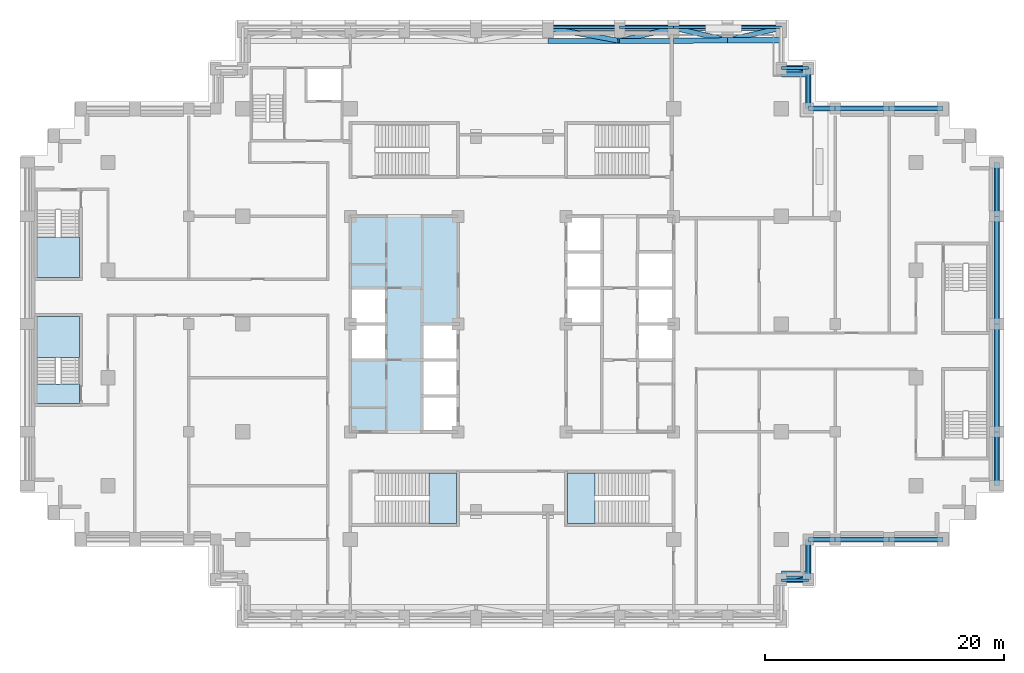
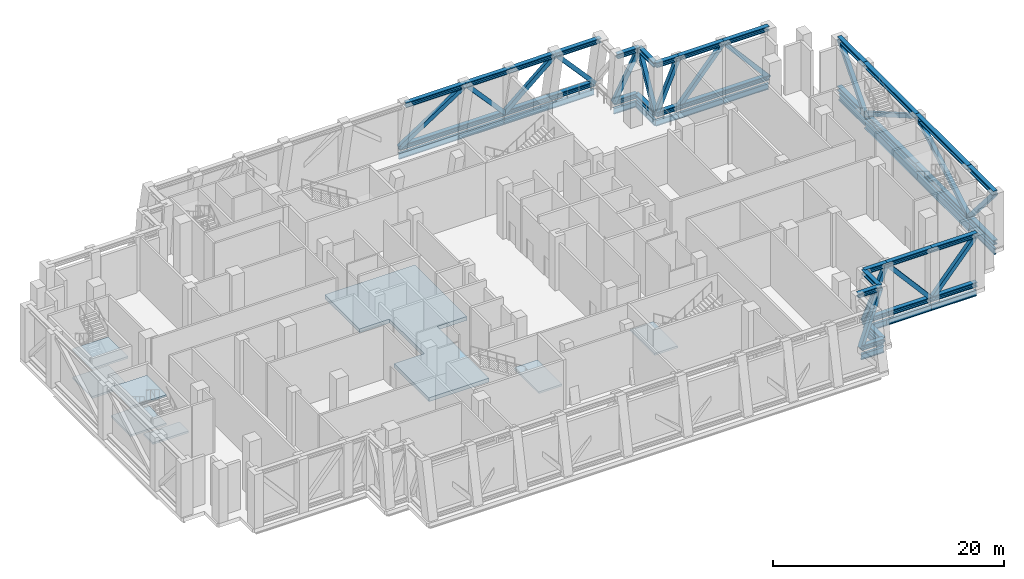
# One storey, part 3 of 14: 54 members, 18 beams, 8 slabs, 4 elements without a shape of their own.
"""IFC4 building model written with IfcOpenShell, lengths in metres."""

from ifc_helpers import new_model, si_unit, direction, frame, origin, origin_2d, place, context, subcontext, project, spatial, polyline, hollow_rectangle, i_section, outline, extrude, material, layer, layer_set, material_profile, profile_set, type_object, element, aggregate, save


model = new_model("IFC4")

# Units and contexts
model_context = context("Model", 3, precision=1e-05, world=origin(), true_north=direction((0.0, 1.0)))
body_context = subcontext(model_context, "Body", "Model", "MODEL_VIEW")
ifc_project = project(units=[si_unit("LENGTHUNIT", "METRE"), si_unit("AREAUNIT", "SQUARE_METRE"), si_unit("VOLUMEUNIT", "CUBIC_METRE"), si_unit("PLANEANGLEUNIT", "RADIAN"), si_unit("MASSUNIT", "GRAM", prefix="KILO")], contexts=[model_context])

# Site, building, storey
site_placement = place(None, origin())
site = spatial("IfcSite", under=ifc_project, at=site_placement, CompositionType="ELEMENT")
building_placement = place(site_placement, origin())
building = spatial("IfcBuilding", under=site, at=building_placement, Name="Corbelhall Arena Tower", CompositionType="ELEMENT")
storey_placement = place(building_placement, frame((0.0, 0.0, 120.0)))
storey = spatial("IfcBuildingStorey", under=building, at=storey_placement, Name="L22", CompositionType="ELEMENT", Elevation=120.0)

# Members
ifc_material_1 = material(Name="Steel ASTM A913 Gr65", Category="steel")
ifc_material_profile_1 = material_profile(ifc_material_1, i_section(OverallWidth=0.431884765625, OverallDepth=0.497802734375, WebThickness=0.0556640625, FlangeThickness=0.0888671875, at=origin_2d()))
ifc_profile_set_1 = profile_set([ifc_material_profile_1], Name="Steel ASTM A913 Gr65")
member_type_1 = type_object("IfcMemberType", Name="ST-CHORD-W14x500", PredefinedType="CHORD", material=ifc_profile_set_1)
for number, where, z_axis, x_axis, name in (
    (1, (40.5, 0.0, 0.2490234375), (0.0, -1.0, 0.0), (1.0, 0.0, 0.0), "Truss chord BC 8"),
    (2, (40.5, 0.0, 5.451171875), (0.0, -1.0, 0.0), (1.0, 0.0, 0.0), "Truss chord TC 8"),
    (3, (40.5, 9.0, 0.2490234375), (0.0, -1.0, 0.0), (1.0, 0.0, 0.0), "Truss chord BC 9"),
    (4, (40.5, 9.0, 5.451171875), (0.0, -1.0, 0.0), (1.0, 0.0, 0.0), "Truss chord TC 9"),
):
    element("IfcMember", number, at=place(storey_placement, frame(where, z_axis=z_axis, x_axis=x_axis)), inside=storey, type_object=member_type_1, Name=name, PredefinedType="CHORD", context=body_context, shape_type="SweptSolid", body=[
        extrude(i_section(OverallWidth=0.431884765625, OverallDepth=0.497802734375, WebThickness=0.0556640625, FlangeThickness=0.0888671875, at=origin_2d()), origin(), (0.0, 0.0, 1.0), 9.0),
    ])
for number, where, z_axis, x_axis, name in (
    (5, (40.5, 13.5, 0.2490234375), (0.0, -1.0, 0.0), (1.0, 0.0, 0.0), "Truss chord BC 10"),
    (6, (40.5, 13.5, 5.451171875), (0.0, -1.0, 0.0), (1.0, 0.0, 0.0), "Truss chord TC 10"),
    (7, (40.5, -9.0, 0.2490234375), (0.0, -1.0, 0.0), (1.0, 0.0, 0.0), "Truss chord BC 11"),
    (8, (40.5, -9.0, 5.451171875), (0.0, -1.0, 0.0), (1.0, 0.0, 0.0), "Truss chord TC 11"),
    (9, (31.5, 18.0, 0.2490234375), (1.0, 0.0, 0.0), (0.0, 1.0, 0.0), "Truss chord BC 12"),
    (10, (31.5, 18.0, 5.451171875), (1.0, 0.0, 0.0), (0.0, 1.0, 0.0), "Truss chord TC 12"),
    (11, (31.5, -18.0, 0.2490234375), (-1.0, 0.0, 0.0), (0.0, -1.0, 0.0), "Truss chord BC 13"),
    (12, (31.5, -18.0, 5.451171875), (-1.0, 0.0, 0.0), (0.0, -1.0, 0.0), "Truss chord TC 13"),
    (13, (36.0, -18.0, 0.2490234375), (-1.0, 0.0, 0.0), (0.0, -1.0, 0.0), "Truss chord BC 14"),
    (14, (36.0, -18.0, 5.451171875), (-1.0, 0.0, 0.0), (0.0, -1.0, 0.0), "Truss chord TC 14"),
    (15, (27.0, 18.0, 0.2490234375), (1.0, 0.0, 0.0), (0.0, 1.0, 0.0), "Truss chord BC 15"),
    (16, (27.0, 18.0, 5.451171875), (1.0, 0.0, 0.0), (0.0, 1.0, 0.0), "Truss chord TC 15"),
):
    element("IfcMember", number, at=place(storey_placement, frame(where, z_axis=z_axis, x_axis=x_axis)), inside=storey, type_object=member_type_1, Name=name, PredefinedType="CHORD", context=body_context, shape_type="SweptSolid", body=[
        extrude(i_section(OverallWidth=0.431884765625, OverallDepth=0.497802734375, WebThickness=0.0556640625, FlangeThickness=0.0888671875, at=origin_2d()), origin(), (0.0, 0.0, 1.0), 4.5),
    ])
for number, where, z_axis, x_axis, name in (
    (17, (27.0, -18.0, 0.2490234375), (-1.0, 0.0, 0.0), (0.0, -1.0, 0.0), "Truss chord BC 16"),
    (18, (27.0, -18.0, 5.451171875), (-1.0, 0.0, 0.0), (0.0, -1.0, 0.0), "Truss chord TC 16"),
):
    element("IfcMember", number, at=place(storey_placement, frame(where, z_axis=z_axis, x_axis=x_axis)), inside=storey, type_object=member_type_1, Name=name, PredefinedType="CHORD", context=body_context, shape_type="SweptSolid", body=[
        extrude(i_section(OverallWidth=0.431884765625, OverallDepth=0.497802734375, WebThickness=0.0556640625, FlangeThickness=0.0888671875, at=origin_2d()), origin(), (0.0, 0.0, 1.0), 2.25),
    ])
for number, where, z_axis, x_axis, name in (
    (19, (3.0, 24.74755859375, 0.2490234375), (1.0, 0.0, 0.0), (0.0, 1.0, 0.0), "Truss chord BC 17"),
    (20, (3.0, 23.65234375, 5.451171875), (1.0, 0.0, 0.0), (0.0, 1.0, 0.0), "Truss chord TC 17"),
):
    element("IfcMember", number, at=place(storey_placement, frame(where, z_axis=z_axis, x_axis=x_axis)), inside=storey, type_object=member_type_1, Name=name, PredefinedType="CHORD", context=body_context, shape_type="SweptSolid", body=[
        extrude(i_section(OverallWidth=0.431884765625, OverallDepth=0.497802734375, WebThickness=0.0556640625, FlangeThickness=0.0888671875, at=origin_2d()), origin(), (0.0, 0.0, 1.0), 6.0),
    ])
for number, where, z_axis, x_axis, name in (
    (21, (9.0, 24.74755859375, 0.2490234375), (1.0, 0.0, 0.0), (0.0, 1.0, 0.0), "Truss chord BC 18"),
    (22, (9.0, 23.65234375, 5.451171875), (1.0, 0.0, 0.0), (0.0, 1.0, 0.0), "Truss chord TC 18"),
    (23, (13.5, 24.74755859375, 0.2490234375), (0.999999821922, 0.000596788088, 0.0), (-0.000596788088, 0.999999821922, 0.0), "Truss chord BC 19"),
):
    element("IfcMember", number, at=place(storey_placement, frame(where, z_axis=z_axis, x_axis=x_axis)), inside=storey, type_object=member_type_1, Name=name, PredefinedType="CHORD", context=body_context, shape_type="SweptSolid", body=[
        extrude(i_section(OverallWidth=0.431884765625, OverallDepth=0.497802734375, WebThickness=0.0556640625, FlangeThickness=0.0888671875, at=origin_2d()), origin(), (0.0, 0.0, 1.0), 4.5),
    ])
member_1_placement = place(storey_placement, frame((13.5, 23.65234375, 5.451171875), z_axis=(0.999918734191, 0.012748529868, 0.0), x_axis=(-0.012748529868, 0.999918734191, 0.0)))
element("IfcMember", 24, at=member_1_placement, inside=storey, type_object=member_type_1, Name="Truss chord TC 19", PredefinedType="CHORD", context=body_context, shape_type="SweptSolid", body=[
    extrude(i_section(OverallWidth=0.431884765625, OverallDepth=0.497802734375, WebThickness=0.0556640625, FlangeThickness=0.0888671875, at=origin_2d()), origin(), (0.0, 0.0, 1.0), 4.500244140625),
])
for number, where, z_axis, x_axis, name in (
    (25, (18.0, 24.750244140625, 0.2490234375), (1.0, 0.0, 0.0), (0.0, 1.0, 0.0), "Truss chord BC 20"),
    (26, (18.0, 23.709716796875, 5.451171875), (1.0, 0.0, 0.0), (0.0, 1.0, 0.0), "Truss chord TC 20"),
):
    element("IfcMember", number, at=place(storey_placement, frame(where, z_axis=z_axis, x_axis=x_axis)), inside=storey, type_object=member_type_1, Name=name, PredefinedType="CHORD", context=body_context, shape_type="SweptSolid", body=[
        extrude(i_section(OverallWidth=0.431884765625, OverallDepth=0.497802734375, WebThickness=0.0556640625, FlangeThickness=0.0888671875, at=origin_2d()), origin(), (0.0, 0.0, 1.0), 4.5),
    ])
for number, where, z_axis, x_axis, name in (
    (27, (22.5, 21.375, 0.2490234375), (1.0, 0.0, 0.0), (0.0, 1.0, 0.0), "Truss chord BC 39"),
    (28, (22.5, 20.85498046875, 5.451171875), (1.0, 0.0, 0.0), (0.0, 1.0, 0.0), "Truss chord TC 39"),
):
    element("IfcMember", number, at=place(storey_placement, frame(where, z_axis=z_axis, x_axis=x_axis)), inside=storey, type_object=member_type_1, Name=name, PredefinedType="CHORD", context=body_context, shape_type="SweptSolid", body=[
        extrude(i_section(OverallWidth=0.431884765625, OverallDepth=0.497802734375, WebThickness=0.0556640625, FlangeThickness=0.0888671875, at=origin_2d()), origin(), (0.0, 0.0, 1.0), 2.25),
    ])
member_2_placement = place(storey_placement, frame((24.75, 21.375, 0.2490234375), z_axis=(0.0, -1.0, 0.0), x_axis=(1.0, 0.0, 0.0)))
element("IfcMember", 29, at=member_2_placement, inside=storey, type_object=member_type_1, Name="Truss chord BC 40", PredefinedType="CHORD", context=body_context, shape_type="SweptSolid", body=[
    extrude(i_section(OverallWidth=0.431884765625, OverallDepth=0.497802734375, WebThickness=0.0556640625, FlangeThickness=0.0888671875, at=origin_2d()), origin(), (0.0, 0.0, 1.0), 3.375),
])
member_3_placement = place(storey_placement, frame((24.75, 20.85498046875, 5.451171875), z_axis=(0.0, -1.0, 0.0), x_axis=(1.0, 0.0, 0.0)))
element("IfcMember", 30, at=member_3_placement, inside=storey, type_object=member_type_1, Name="Truss chord TC 40", PredefinedType="CHORD", context=body_context, shape_type="SweptSolid", body=[
    extrude(i_section(OverallWidth=0.431884765625, OverallDepth=0.497802734375, WebThickness=0.0556640625, FlangeThickness=0.0888671875, at=origin_2d()), origin(), (0.0, 0.0, 1.0), 2.85498046875),
])
for number, where, z_axis, x_axis, name in (
    (31, (24.75, 18.0, 0.2490234375), (1.0, 0.0, 0.0), (0.0, 1.0, 0.0), "Truss chord BC 41"),
    (32, (24.75, 18.0, 5.451171875), (1.0, 0.0, 0.0), (0.0, 1.0, 0.0), "Truss chord TC 41"),
    (33, (24.75, -21.373779296875, 0.2490234375), (-1.0, 0.0, 0.0), (0.0, -1.0, 0.0), "Truss chord BC 46"),
    (34, (24.75, -20.826171875, 5.451171875), (-1.0, 0.0, 0.0), (0.0, -1.0, 0.0), "Truss chord TC 46"),
):
    element("IfcMember", number, at=place(storey_placement, frame(where, z_axis=z_axis, x_axis=x_axis)), inside=storey, type_object=member_type_1, Name=name, PredefinedType="CHORD", context=body_context, shape_type="SweptSolid", body=[
        extrude(i_section(OverallWidth=0.431884765625, OverallDepth=0.497802734375, WebThickness=0.0556640625, FlangeThickness=0.0888671875, at=origin_2d()), origin(), (0.0, 0.0, 1.0), 2.25),
    ])
member_4_placement = place(storey_placement, frame((24.75, -18.0, 0.2490234375), z_axis=(0.0, -1.0, 0.0), x_axis=(1.0, 0.0, 0.0)))
element("IfcMember", 35, at=member_4_placement, inside=storey, type_object=member_type_1, Name="Truss chord BC 47", PredefinedType="CHORD", context=body_context, shape_type="SweptSolid", body=[
    extrude(i_section(OverallWidth=0.431884765625, OverallDepth=0.497802734375, WebThickness=0.0556640625, FlangeThickness=0.0888671875, at=origin_2d()), origin(), (0.0, 0.0, 1.0), 3.373779296875),
])
member_5_placement = place(storey_placement, frame((24.75, -18.0, 5.451171875), z_axis=(0.0, -1.0, 0.0), x_axis=(1.0, 0.0, 0.0)))
element("IfcMember", 36, at=member_5_placement, inside=storey, type_object=member_type_1, Name="Truss chord TC 47", PredefinedType="CHORD", context=body_context, shape_type="SweptSolid", body=[
    extrude(i_section(OverallWidth=0.431884765625, OverallDepth=0.497802734375, WebThickness=0.0556640625, FlangeThickness=0.0888671875, at=origin_2d()), origin(), (0.0, 0.0, 1.0), 2.826171875),
])

# Beams
ifc_material_2 = material(Name="Steel ASTM A992 Gr50", Category="steel")
ifc_material_profile_2 = material_profile(ifc_material_2, i_section(OverallWidth=0.23046875, OverallDepth=0.6171875, WebThickness=0.01318359375, FlangeThickness=0.022216796875, at=origin_2d()))
ifc_profile_set_2 = profile_set([ifc_material_profile_2], Name="Steel ASTM A992 Gr50")
beam_type_1 = type_object("IfcBeamType", Name="ST-SPANDREL-W24x94", PredefinedType="SPANDREL", material=ifc_profile_set_2)
for number, where, z_axis, x_axis, name in (
    (37, (40.5, 13.5, -0.708984375), (0.0, -1.0, 0.0), (1.0, 0.0, 0.0), "Beam SP 10"),
    (38, (40.5, -9.0, -0.708984375), (0.0, -1.0, 0.0), (1.0, 0.0, 0.0), "Beam SP 11"),
    (39, (31.5, 18.0, -0.708984375), (1.0, 0.0, 0.0), (0.0, 1.0, 0.0), "Beam SP 12"),
    (40, (31.5, -18.0, -0.708984375), (-1.0, 0.0, 0.0), (0.0, -1.0, 0.0), "Beam SP 13"),
    (41, (36.0, -18.0, -0.708984375), (-1.0, 0.0, 0.0), (0.0, -1.0, 0.0), "Beam SP 14"),
    (42, (27.0, 18.0, -0.708984375), (1.0, 0.0, 0.0), (0.0, 1.0, 0.0), "Beam SP 15"),
):
    element("IfcBeam", number, at=place(storey_placement, frame(where, z_axis=z_axis, x_axis=x_axis)), inside=storey, type_object=beam_type_1, Name=name, PredefinedType="SPANDREL", context=body_context, shape_type="SweptSolid", body=[
        extrude(i_section(OverallWidth=0.23046875, OverallDepth=0.6171875, WebThickness=0.01318359375, FlangeThickness=0.022216796875, at=origin_2d()), origin(), (0.0, 0.0, 1.0), 4.5),
    ])
beam_1_placement = place(storey_placement, frame((27.0, -18.0, -0.708984375), z_axis=(-1.0, 0.0, 0.0), x_axis=(0.0, -1.0, 0.0)))
element("IfcBeam", 43, at=beam_1_placement, inside=storey, type_object=beam_type_1, Name="Beam SP 16", PredefinedType="SPANDREL", context=body_context, shape_type="SweptSolid", body=[
    extrude(i_section(OverallWidth=0.23046875, OverallDepth=0.6171875, WebThickness=0.01318359375, FlangeThickness=0.022216796875, at=origin_2d()), origin(), (0.0, 0.0, 1.0), 2.25),
])
beam_2_placement = place(storey_placement, frame((3.0, 24.800048828125, -0.708984375), z_axis=(1.0, 0.0, 0.0), x_axis=(0.0, 1.0, 0.0)))
element("IfcBeam", 44, at=beam_2_placement, inside=storey, type_object=beam_type_1, Name="Beam SP 17", PredefinedType="SPANDREL", context=body_context, shape_type="SweptSolid", body=[
    extrude(i_section(OverallWidth=0.23046875, OverallDepth=0.6171875, WebThickness=0.01318359375, FlangeThickness=0.022216796875, at=origin_2d()), origin(), (0.0, 0.0, 1.0), 6.0),
])
for number, where, z_axis, x_axis, name in (
    (45, (9.0, 24.800048828125, -0.708984375), (1.0, 0.0, 0.0), (0.0, 1.0, 0.0), "Beam SP 18"),
    (46, (13.5, 24.800048828125, -0.708984375), (1.0, 0.0, 0.0), (0.0, 1.0, 0.0), "Beam SP 19"),
    (47, (18.0, 24.800048828125, -0.708984375), (1.0, 0.0, 0.0), (0.0, 1.0, 0.0), "Beam SP 20"),
):
    element("IfcBeam", number, at=place(storey_placement, frame(where, z_axis=z_axis, x_axis=x_axis)), inside=storey, type_object=beam_type_1, Name=name, PredefinedType="SPANDREL", context=body_context, shape_type="SweptSolid", body=[
        extrude(i_section(OverallWidth=0.23046875, OverallDepth=0.6171875, WebThickness=0.01318359375, FlangeThickness=0.022216796875, at=origin_2d()), origin(), (0.0, 0.0, 1.0), 4.5),
    ])
beam_3_placement = place(storey_placement, frame((22.5, 21.39990234375, -0.708984375), z_axis=(1.0, 0.0, 0.0), x_axis=(0.0, 1.0, 0.0)))
element("IfcBeam", 48, at=beam_3_placement, inside=storey, type_object=beam_type_1, Name="Beam SP 39", PredefinedType="SPANDREL", context=body_context, shape_type="SweptSolid", body=[
    extrude(i_section(OverallWidth=0.23046875, OverallDepth=0.6171875, WebThickness=0.01318359375, FlangeThickness=0.022216796875, at=origin_2d()), origin(), (0.0, 0.0, 1.0), 2.25),
])
beam_4_placement = place(storey_placement, frame((24.75, 21.39990234375, -0.708984375), z_axis=(0.0, -1.0, 0.0), x_axis=(1.0, 0.0, 0.0)))
element("IfcBeam", 49, at=beam_4_placement, inside=storey, type_object=beam_type_1, Name="Beam SP 40", PredefinedType="SPANDREL", context=body_context, shape_type="SweptSolid", body=[
    extrude(i_section(OverallWidth=0.23046875, OverallDepth=0.6171875, WebThickness=0.01318359375, FlangeThickness=0.022216796875, at=origin_2d()), origin(), (0.0, 0.0, 1.0), 3.39990234375),
])
for number, where, z_axis, x_axis, name in (
    (50, (24.75, 18.0, -0.708984375), (1.0, 0.0, 0.0), (0.0, 1.0, 0.0), "Beam SP 41"),
    (51, (24.75, -21.39990234375, -0.708984375), (-1.0, 0.0, 0.0), (0.0, -1.0, 0.0), "Beam SP 46"),
):
    element("IfcBeam", number, at=place(storey_placement, frame(where, z_axis=z_axis, x_axis=x_axis)), inside=storey, type_object=beam_type_1, Name=name, PredefinedType="SPANDREL", context=body_context, shape_type="SweptSolid", body=[
        extrude(i_section(OverallWidth=0.23046875, OverallDepth=0.6171875, WebThickness=0.01318359375, FlangeThickness=0.022216796875, at=origin_2d()), origin(), (0.0, 0.0, 1.0), 2.25),
    ])
beam_5_placement = place(storey_placement, frame((24.75, -18.0, -0.708984375), z_axis=(0.0, -1.0, 0.0), x_axis=(1.0, 0.0, 0.0)))
element("IfcBeam", 52, at=beam_5_placement, inside=storey, type_object=beam_type_1, Name="Beam SP 47", PredefinedType="SPANDREL", context=body_context, shape_type="SweptSolid", body=[
    extrude(i_section(OverallWidth=0.23046875, OverallDepth=0.6171875, WebThickness=0.01318359375, FlangeThickness=0.022216796875, at=origin_2d()), origin(), (0.0, 0.0, 1.0), 3.39990234375),
])
ifc_material_profile_3 = material_profile(ifc_material_2, i_section(OverallWidth=0.2919921875, OverallDepth=0.845703125, WebThickness=0.015380859375, FlangeThickness=0.0244140625, at=origin_2d()))
ifc_profile_set_3 = profile_set([ifc_material_profile_3], Name="Steel ASTM A992 Gr50")
beam_type_2 = type_object("IfcBeamType", Name="ST-SPANDREL-W33x141", PredefinedType="SPANDREL", material=ifc_profile_set_3)
for number, where, z_axis, x_axis, name in (
    (53, (40.5, 0.0, -0.8232421875), (0.0, -1.0, 0.0), (1.0, 0.0, 0.0), "Beam SP 8"),
    (54, (40.5, 9.0, -0.8232421875), (0.0, -1.0, 0.0), (1.0, 0.0, 0.0), "Beam SP 9"),
):
    element("IfcBeam", number, at=place(storey_placement, frame(where, z_axis=z_axis, x_axis=x_axis)), inside=storey, type_object=beam_type_2, Name=name, PredefinedType="SPANDREL", context=body_context, shape_type="SweptSolid", body=[
        extrude(i_section(OverallWidth=0.2919921875, OverallDepth=0.845703125, WebThickness=0.015380859375, FlangeThickness=0.0244140625, at=origin_2d()), origin(), (0.0, 0.0, 1.0), 9.0),
    ])

# Members
ifc_material_3 = material(Name="Steel ASTM A500 Gr C", Category="steel")
ifc_material_profile_4 = material_profile(ifc_material_3, hollow_rectangle(XDim=0.406494140625, YDim=0.406494140625, WallThickness=0.0146484375, at=origin_2d()))
ifc_profile_set_4 = profile_set([ifc_material_profile_4], Name="Steel ASTM A500 Gr C")
member_type_2 = type_object("IfcMemberType", Name="ST-STRUT-HSS16x16x5/8", PredefinedType="STRUT", material=ifc_profile_set_4)
for number, where, z_axis, x_axis, name in (
    (55, (40.5, -9.0, 0.2490234375), (0.0, 0.865775533871, 0.500432537861), (-1.0, 0.0, 0.0), "Truss diagonal 8"),
    (56, (40.5, 9.0, 0.2490234375), (0.0, -0.865775533871, 0.500432537861), (1.0, 0.0, 0.0), "Truss diagonal 9"),
):
    element("IfcMember", number, at=place(storey_placement, frame(where, z_axis=z_axis, x_axis=x_axis)), inside=storey, type_object=member_type_2, Name=name, PredefinedType="STRUT", context=body_context, shape_type="SweptSolid", body=[
        extrude(hollow_rectangle(XDim=0.406494140625, YDim=0.406494140625, WallThickness=0.0146484375, at=origin_2d()), origin(), (0.0, 0.0, 1.0), 10.395263671875),
    ])
for number, where, z_axis, x_axis, name in (
    (57, (40.5, 9.0, 0.2490234375), (0.0, 0.654222176142, 0.756302415866), (-1.0, 0.0, 0.0), "Truss diagonal 10"),
    (58, (40.5, -9.0, 0.2490234375), (0.0, -0.654222176142, 0.756302415866), (1.0, 0.0, 0.0), "Truss diagonal 11"),
    (59, (36.0, 18.0, 0.2490234375), (-0.654222176142, 0.0, 0.756302415866), (0.0, -1.0, 0.0), "Truss diagonal 12"),
    (60, (31.5, -18.0, 0.2490234375), (-0.654222176142, 0.0, 0.756302415866), (0.0, -1.0, 0.0), "Truss diagonal 13"),
    (61, (31.5, -18.0, 0.2490234375), (0.654222176142, 0.0, 0.756302415866), (0.0, 1.0, 0.0), "Truss diagonal 14"),
    (62, (27.0, 18.0, 0.2490234375), (0.654222176142, 0.0, 0.756302415866), (0.0, 1.0, 0.0), "Truss diagonal 15"),
):
    element("IfcMember", number, at=place(storey_placement, frame(where, z_axis=z_axis, x_axis=x_axis)), inside=storey, type_object=member_type_2, Name=name, PredefinedType="STRUT", context=body_context, shape_type="SweptSolid", body=[
        extrude(hollow_rectangle(XDim=0.406494140625, YDim=0.406494140625, WallThickness=0.0146484375, at=origin_2d()), origin(), (0.0, 0.0, 1.0), 6.87841796875),
    ])
member_6_placement = place(storey_placement, frame((24.75, -18.0, 0.2490234375), z_axis=(0.396973919138, 0.0, 0.917829890298), x_axis=(0.0, 1.0, 0.0)))
element("IfcMember", 63, at=member_6_placement, inside=storey, type_object=member_type_2, Name="Truss diagonal 16", PredefinedType="STRUT", context=body_context, shape_type="SweptSolid", body=[
    extrude(hollow_rectangle(XDim=0.406494140625, YDim=0.406494140625, WallThickness=0.0146484375, at=origin_2d()), origin(), (0.0, 0.0, 1.0), 5.66796875),
])
member_7_placement = place(storey_placement, frame((3.0, 24.74755859375, 0.2490234375), z_axis=(0.748470450084, -0.13662265784, 0.64894239707), x_axis=(0.179568765081, 0.983745423678, 0.0)))
element("IfcMember", 64, at=member_7_placement, inside=storey, type_object=member_type_2, Name="Truss diagonal 17", PredefinedType="STRUT", context=body_context, shape_type="SweptSolid", body=[
    extrude(hollow_rectangle(XDim=0.406494140625, YDim=0.406494140625, WallThickness=0.0146484375, at=origin_2d()), origin(), (0.0, 0.0, 1.0), 8.016357421875),
])
member_8_placement = place(storey_placement, frame((13.5, 24.74755859375, 0.2490234375), z_axis=(-0.646083459318, -0.157244487766, 0.746893790752), x_axis=(0.23647801965, -0.97163683865, 0.0)))
element("IfcMember", 65, at=member_8_placement, inside=storey, type_object=member_type_2, Name="Truss diagonal 18", PredefinedType="STRUT", context=body_context, shape_type="SweptSolid", body=[
    extrude(hollow_rectangle(XDim=0.406494140625, YDim=0.406494140625, WallThickness=0.0146484375, at=origin_2d()), origin(), (0.0, 0.0, 1.0), 6.965087890625),
])
member_9_placement = place(storey_placement, frame((13.5, 24.74755859375, 0.2490234375), z_axis=(0.646899936004, -0.149195509329, 0.747837664734), x_axis=(0.224732092498, 0.974420590198, 0.0)))
element("IfcMember", 66, at=member_9_placement, inside=storey, type_object=member_type_2, Name="Truss diagonal 19", PredefinedType="STRUT", context=body_context, shape_type="SweptSolid", body=[
    extrude(hollow_rectangle(XDim=0.406494140625, YDim=0.406494140625, WallThickness=0.0146484375, at=origin_2d()), origin(), (0.0, 0.0, 1.0), 6.956298828125),
])
member_10_placement = place(storey_placement, frame((22.5, 24.750244140625, 0.2490234375), z_axis=(-0.646862630393, -0.149572945461, 0.747794538217), x_axis=(0.225284137373, -0.974293106538, 0.0)))
element("IfcMember", 67, at=member_10_placement, inside=storey, type_object=member_type_2, Name="Truss diagonal 20", PredefinedType="STRUT", context=body_context, shape_type="SweptSolid", body=[
    extrude(hollow_rectangle(XDim=0.406494140625, YDim=0.406494140625, WallThickness=0.0146484375, at=origin_2d()), origin(), (0.0, 0.0, 1.0), 6.95654296875),
])
member_11_placement = place(storey_placement, frame((22.5, 21.375, 0.2490234375), z_axis=(0.395313572086, -0.091364790424, 0.913991058378), x_axis=(0.225183781698, 0.974316306166, 0.0)))
element("IfcMember", 68, at=member_11_placement, inside=storey, type_object=member_type_2, Name="Truss diagonal 39", PredefinedType="STRUT", context=body_context, shape_type="SweptSolid", body=[
    extrude(hollow_rectangle(XDim=0.406494140625, YDim=0.406494140625, WallThickness=0.0146484375, at=origin_2d()), origin(), (0.0, 0.0, 1.0), 5.691650390625),
])
member_12_placement = place(storey_placement, frame((24.75, 18.0, 0.2490234375), z_axis=(0.0, 0.481116236447, 0.876656812571), x_axis=(-1.0, 0.0, 0.0)))
element("IfcMember", 69, at=member_12_placement, inside=storey, type_object=member_type_2, Name="Truss diagonal 40", PredefinedType="STRUT", context=body_context, shape_type="SweptSolid", body=[
    extrude(hollow_rectangle(XDim=0.406494140625, YDim=0.406494140625, WallThickness=0.0146484375, at=origin_2d()), origin(), (0.0, 0.0, 1.0), 5.93408203125),
])
member_13_placement = place(storey_placement, frame((24.75, 18.0, 0.2490234375), z_axis=(0.396973919138, 0.0, 0.917829890298), x_axis=(0.0, 1.0, 0.0)))
element("IfcMember", 70, at=member_13_placement, inside=storey, type_object=member_type_2, Name="Truss diagonal 41", PredefinedType="STRUT", context=body_context, shape_type="SweptSolid", body=[
    extrude(hollow_rectangle(XDim=0.406494140625, YDim=0.406494140625, WallThickness=0.0146484375, at=origin_2d()), origin(), (0.0, 0.0, 1.0), 5.66796875),
])
member_14_placement = place(storey_placement, frame((22.5, -21.373779296875, 0.2490234375), z_axis=(0.395133986222, 0.096168134885, 0.913575844013), x_axis=(-0.23647801965, 0.97163683865, 0.0)))
element("IfcMember", 71, at=member_14_placement, inside=storey, type_object=member_type_2, Name="Truss diagonal 46", PredefinedType="STRUT", context=body_context, shape_type="SweptSolid", body=[
    extrude(hollow_rectangle(XDim=0.406494140625, YDim=0.406494140625, WallThickness=0.0146484375, at=origin_2d()), origin(), (0.0, 0.0, 1.0), 5.6943359375),
])
member_15_placement = place(storey_placement, frame((24.75, -18.0, 0.2490234375), z_axis=(0.0, -0.477372132847, 0.878701227256), x_axis=(1.0, 0.0, 0.0)))
element("IfcMember", 72, at=member_15_placement, inside=storey, type_object=member_type_2, Name="Truss diagonal 47", PredefinedType="STRUT", context=body_context, shape_type="SweptSolid", body=[
    extrude(hollow_rectangle(XDim=0.406494140625, YDim=0.406494140625, WallThickness=0.0146484375, at=origin_2d()), origin(), (0.0, 0.0, 1.0), 5.920166015625),
])

# Slab
ifc_material_4 = material(Name="Concrete C40/50", Category="concrete")
ifc_layer_1 = layer(ifc_material_4, 0.300048828125)
ifc_layer_set_1 = layer_set([ifc_layer_1], Name="IN-SL-CORE")
slab_type_1 = type_object("IfcSlabType", Name="IN-SL-CORE", PredefinedType="FLOOR", material=ifc_layer_set_1)
slab_1_placement = place(storey_placement, frame((0.0, 0.0, -0.400390625)))
element("IfcSlab", 73, at=slab_1_placement, inside=storey, type_object=slab_type_1, Name="Core floor W", PredefinedType="FLOOR", context=body_context, shape_type="SweptSolid", body=[
    extrude(outline(polyline([(-7.5, 0.0), (-4.5, 0.0), (-4.5, 9.0), (-13.5, 9.0), (-13.5, 3.0), (-10.5, 3.0), (-10.5, 0.0), (-10.5, -3.0), (-13.5, -3.0), (-13.5, -9.0), (-7.5, -9.0), (-7.5, -6.0), (-7.5, -3.0), (-7.5, 0.0)])), origin(), (0.0, 0.0, 1.0), 0.400390625),
])

# Stair, slab
stair_type = type_object("IfcStairType", Name="IN-ST-TOWER", PredefinedType="HALF_TURN_STAIR", material=ifc_material_4)
stair_1_placement = place(storey_placement, origin())
stair_1 = element("IfcStair", 74, at=stair_1_placement, inside=storey, type_object=stair_type, Name="L22 Exit stair ST2", PredefinedType="HALF_TURN_STAIR")
ifc_layer_2 = layer(ifc_material_4, 0.199951171875)
ifc_layer_set_2 = layer_set([ifc_layer_2], Name="IN-SL-LANDING")
slab_type_2 = type_object("IfcSlabType", Name="IN-SL-LANDING", PredefinedType="LANDING", material=ifc_layer_set_2)
slab_2_placement = place(storey_placement, frame((0.0, 0.0, 2.800048828125)))
slab_2 = element("IfcSlab", 75, at=slab_2_placement, type_object=slab_type_2, Name="ST2 landing 1", PredefinedType="LANDING", context=body_context, shape_type="SweptSolid", body=[
    extrude(outline(polyline([(-6.945068359375, -16.675048828125), (-4.625, -16.675048828125), (-4.625, -12.425048828125), (-6.945068359375, -12.425048828125), (-6.945068359375, -16.675048828125)])), origin(), (0.0, 0.0, 1.0), 0.199951171875),
])
aggregate(stair_1, [slab_2])

stair_2_placement = place(storey_placement, origin())
stair_2 = element("IfcStair", 76, at=stair_2_placement, inside=storey, type_object=stair_type, Name="L22 Exit stair ST4", PredefinedType="HALF_TURN_STAIR")
slab_3_placement = place(storey_placement, frame((0.0, 0.0, 2.800048828125)))
slab_3 = element("IfcSlab", 77, at=slab_3_placement, type_object=slab_type_2, Name="ST4 landing 1", PredefinedType="LANDING", context=body_context, shape_type="SweptSolid", body=[
    extrude(outline(polyline([(6.945068359375, -12.425048828125), (4.625, -12.425048828125), (4.625, -16.675048828125), (6.945068359375, -16.675048828125), (6.945068359375, -12.425048828125)])), origin(), (0.0, 0.0, 1.0), 0.199951171875),
])
aggregate(stair_2, [slab_3])

# Stair, slabs
stair_3_placement = place(storey_placement, origin())
stair_3 = element("IfcStair", 78, at=stair_3_placement, inside=storey, type_object=stair_type, Name="L22 Exit stair SC1", PredefinedType="HALF_TURN_STAIR")
slab_4_placement = place(storey_placement, frame((0.0, 0.0, 1.300048828125)))
slab_4 = element("IfcSlab", 79, at=slab_4_placement, type_object=slab_type_2, Name="SC1 landing 1", PredefinedType="LANDING", context=body_context, shape_type="SweptSolid", body=[
    extrude(outline(polyline([(-39.699951171875, 7.284912109375), (-39.699951171875, 3.875), (-36.125, 3.875), (-36.125, 7.284912109375), (-39.699951171875, 7.284912109375)])), origin(), (0.0, 0.0, 1.0), 0.199951171875),
])
slab_5_placement = place(storey_placement, frame((0.0, 0.0, 4.300048828125)))
slab_5 = element("IfcSlab", 80, at=slab_5_placement, type_object=slab_type_2, Name="SC1 landing 3", PredefinedType="LANDING", context=body_context, shape_type="SweptSolid", body=[
    extrude(outline(polyline([(-39.699951171875, 7.284912109375), (-39.699951171875, 3.875), (-36.125, 3.875), (-36.125, 7.284912109375), (-39.699951171875, 7.284912109375)])), origin(), (0.0, 0.0, 1.0), 0.199951171875),
])
aggregate(stair_3, [slab_4, slab_5])

stair_4_placement = place(storey_placement, origin())
stair_4 = element("IfcStair", 81, at=stair_4_placement, inside=storey, type_object=stair_type, Name="L22 Exit stair SC2", PredefinedType="HALF_TURN_STAIR")
slab_6_placement = place(storey_placement, frame((0.0, 0.0, 1.300048828125)))
slab_6 = element("IfcSlab", 82, at=slab_6_placement, type_object=slab_type_2, Name="SC2 landing 1", PredefinedType="LANDING", context=body_context, shape_type="SweptSolid", body=[
    extrude(outline(polyline([(-36.125, -2.784912109375), (-36.125, 0.625), (-39.699951171875, 0.625), (-39.699951171875, -2.784912109375), (-36.125, -2.784912109375)])), origin(), (0.0, 0.0, 1.0), 0.199951171875),
])
slab_7_placement = place(storey_placement, frame((0.0, 0.0, 2.800048828125)))
slab_7 = element("IfcSlab", 83, at=slab_7_placement, type_object=slab_type_2, Name="SC2 landing 2", PredefinedType="LANDING", context=body_context, shape_type="SweptSolid", body=[
    extrude(outline(polyline([(-36.125, -6.625), (-36.125, -5.02490234375), (-39.699951171875, -5.02490234375), (-39.699951171875, -6.625), (-36.125, -6.625)])), origin(), (0.0, 0.0, 1.0), 0.199951171875),
])
slab_8_placement = place(storey_placement, frame((0.0, 0.0, 4.300048828125)))
slab_8 = element("IfcSlab", 84, at=slab_8_placement, type_object=slab_type_2, Name="SC2 landing 3", PredefinedType="LANDING", context=body_context, shape_type="SweptSolid", body=[
    extrude(outline(polyline([(-36.125, -2.784912109375), (-36.125, 0.625), (-39.699951171875, 0.625), (-39.699951171875, -2.784912109375), (-36.125, -2.784912109375)])), origin(), (0.0, 0.0, 1.0), 0.199951171875),
])
aggregate(stair_4, [slab_6, slab_7, slab_8])

save(model, "model.ifc")
